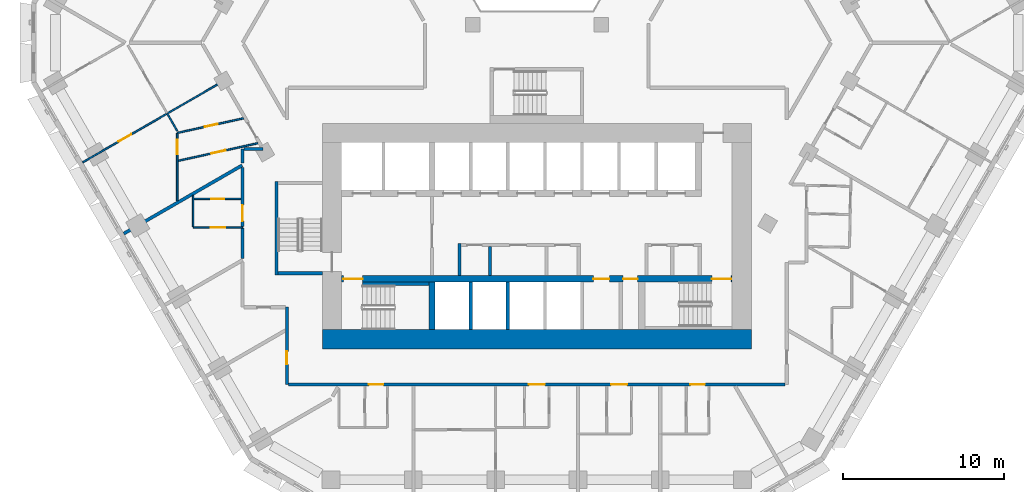
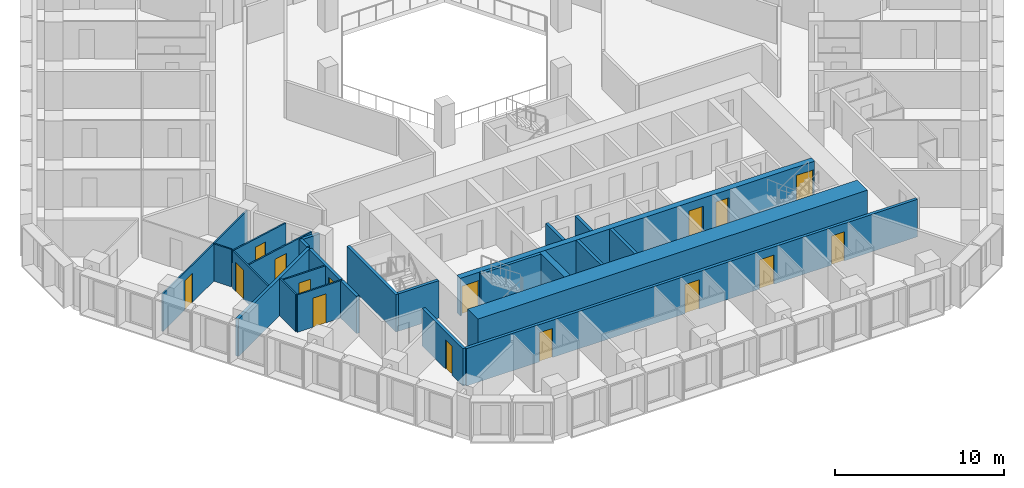
# One storey, part 4 of 21: 25 walls, 16 doors, 16 openings.
"""IFC4 building model written with IfcOpenShell, lengths in metres."""

import ifcopenshell
import ifcopenshell.guid

model = None  # the IFC model being written
_history = None  # IfcOwnerHistory: only IFC2X3 demands one
_inside = {}  # id of a spatial element -> (the spatial element, [elements in it])
_under = {}  # id of a project, library or spatial element -> (it, [spatial elements below it])
_declared = {}  # id of a project -> (the project, [libraries it declares])
_typed = {}  # id of a type object -> (the type object, [elements of that type])
_made_of = {}  # id of a material, layer set ... -> (it, [elements and type objects made of it])


def new_model(schema):
    """Start an empty IFC model of exactly this schema.

    Asked for "IFC4X3", IfcOpenShell would pick the latest addendum, in which some entities
    have other attributes; the version numbers below select the first issue.
    IFC2X3 requires an IfcOwnerHistory on every rooted entity: one is made here for all.
    """
    global model, _history
    if schema == "IFC4X3":
        model = ifcopenshell.file(schema_version=(4, 3, 0, 0))
    else:
        model = ifcopenshell.file(schema=schema)
    _inside.clear()
    _under.clear()
    _declared.clear()
    _typed.clear()
    _made_of.clear()
    _history = None
    if model.schema == "IFC2X3":
        org = make("IfcOrganization", Name="unknown")
        user = make(
            "IfcPersonAndOrganization",
            ThePerson=make("IfcPerson", FamilyName="unknown"),
            TheOrganization=org,
        )
        app = make(
            "IfcApplication",
            ApplicationDeveloper=org,
            Version="unknown",
            ApplicationFullName="unknown",
            ApplicationIdentifier="unknown",
        )
        _history = make(
            "IfcOwnerHistory",
            OwningUser=user,
            OwningApplication=app,
            ChangeAction="ADDED",
            CreationDate=0,
        )
    return model


def make(cls, **values):
    """One entity of the class cls with the attributes given. An attribute that is None is left unset."""
    return model.create_entity(
        cls, **{name: value for name, value in values.items() if value is not None}
    )


def rooted(cls, **values):
    """An entity with a GlobalId (a new one), such as an element, a storey or a relation."""
    return make(cls, GlobalId=ifcopenshell.guid.new(), OwnerHistory=_history, **values)


def si_unit(unit_type, name, prefix=None):
    """IfcSIUnit, for example si_unit("LENGTHUNIT", "METRE", prefix="MILLI")."""
    return make("IfcSIUnit", UnitType=unit_type, Prefix=prefix, Name=name)


def assignment(units):
    """IfcUnitAssignment: the units of a project."""
    return None if units is None else make("IfcUnitAssignment", Units=units)


def point(xyz):
    """IfcCartesianPoint."""
    return None if xyz is None else make("IfcCartesianPoint", Coordinates=xyz)


def direction(xyz):
    """IfcDirection."""
    return None if xyz is None else make("IfcDirection", DirectionRatios=xyz)


def frame(location, z_axis=None, x_axis=None):
    """IfcAxis2Placement3D, a coordinate frame: its origin and axes. An axis left out is left unset."""
    return make(
        "IfcAxis2Placement3D",
        Location=point(location),
        Axis=direction(z_axis),
        RefDirection=direction(x_axis),
    )


def frame_2d(location, x_axis=None):
    """IfcAxis2Placement2D, a coordinate frame in the plane: its origin and x axis."""
    return make(
        "IfcAxis2Placement2D", Location=point(location), RefDirection=direction(x_axis)
    )


def origin():
    """The frame at (0, 0, 0) with its axes left unset."""
    return frame((0.0, 0.0, 0.0))


def place(relative_to, where):
    """IfcLocalPlacement: puts the frame where relative to a parent placement (None: the world)."""
    return make(
        "IfcLocalPlacement", PlacementRelTo=relative_to, RelativePlacement=where
    )


def context(
    kind, dimensions, precision=None, world=None, true_north=None, identifier=None
):
    """IfcGeometricRepresentationContext, for example the 3D "Model" context."""
    return make(
        "IfcGeometricRepresentationContext",
        ContextIdentifier=identifier,
        ContextType=kind,
        CoordinateSpaceDimension=dimensions,
        Precision=precision,
        WorldCoordinateSystem=world,
        TrueNorth=true_north,
    )


def subcontext(parent, identifier, kind, view, scale=None):
    """IfcGeometricRepresentationSubContext, for example "Body" below "Model"."""
    return make(
        "IfcGeometricRepresentationSubContext",
        ContextIdentifier=identifier,
        ContextType=kind,
        ParentContext=parent,
        TargetScale=scale,
        TargetView=view,
    )


def project(units=None, contexts=None):
    """IfcProject with its units and contexts."""
    return rooted(
        "IfcProject",
        Name="project",
        RepresentationContexts=contexts,
        UnitsInContext=assignment(units),
    )


def spatial(cls, under=None, at=None, **own):
    """A site, building, storey or space (cls), placed at a placement, below another one or the project."""
    s = rooted(cls, ObjectPlacement=at, **own)
    if under is not None:
        _under.setdefault(under.id(), (under, []))[1].append(s)
    return s


def profile(cls, at=None, kind="AREA", **sizes):
    """A parametric profile (cls). Its sizes go by their IFC names, for example OverallWidth=200.0."""
    return make(cls, ProfileType=kind, Position=at, **sizes)


def rectangle(**sizes):
    """IfcRectangleProfileDef."""
    return profile("IfcRectangleProfileDef", **sizes)


def extrude(swept, where, along, depth):
    """IfcExtrudedAreaSolid: the profile swept, set in the frame where, extruded along a direction by depth."""
    return make(
        "IfcExtrudedAreaSolid",
        SweptArea=swept,
        Position=where,
        ExtrudedDirection=direction(along),
        Depth=depth,
    )


def shape(context_of_items, identifier, shape_type, items):
    """IfcShapeRepresentation: the items that make up one representation, for example the "Body"."""
    return make(
        "IfcShapeRepresentation",
        ContextOfItems=context_of_items,
        RepresentationIdentifier=identifier,
        RepresentationType=shape_type,
        Items=items,
    )


def material(Name=None, Category=None):
    """IfcMaterial."""
    return make("IfcMaterial", Name=Name, Category=Category)


def layer(
    of_material, thickness, ventilated=None, Name=None, Category=None, Priority=None
):
    """IfcMaterialLayer: one layer of a wall or slab, of a material (None: an air gap)."""
    return make(
        "IfcMaterialLayer",
        Material=of_material,
        LayerThickness=thickness,
        IsVentilated=ventilated,
        Name=Name,
        Category=Category,
        Priority=Priority,
    )


def layer_set(layers, Name=None):
    """IfcMaterialLayerSet."""
    return make("IfcMaterialLayerSet", MaterialLayers=layers, LayerSetName=Name)


def made_of(thing, what):
    """Note that an element or type object is made of a material, layer set ...; save() writes the relation."""
    if what is not None:
        _made_of.setdefault(what.id(), (what, []))[1].append(thing)
    return thing


def type_object(cls, material=None, **own):
    """A type object (cls), such as IfcWallType, which elements share."""
    return made_of(rooted(cls, **own), material)


def element(
    cls,
    number,
    at=None,
    inside=None,
    cuts=None,
    type_object=None,
    material=None,
    context=None,
    identifier="Body",
    shape_type=None,
    held_by="IfcProductDefinitionShape",
    body=None,
    shapes=None,
    **own,
):
    """One element of the class cls, such as IfcWall. Its Tag is "e" and its number.

    at: its placement. inside: the storey or other place that contains it. cuts: it is an
    opening in that element (IfcRelVoidsElement). A single representation is given by context,
    identifier, shape_type and body (its items); several are given by shapes. held_by: the class
    of the entity that holds the representations. save() writes the other relations.
    """
    e = rooted(cls, Tag="e%d" % number, ObjectPlacement=at, **own)
    if body is not None:
        shapes = [shape(context, identifier, shape_type, body)]
    if shapes is not None:
        e.Representation = make(held_by, Representations=shapes)
    if inside is not None:
        _inside.setdefault(inside.id(), (inside, []))[1].append(e)
    if cuts is not None:
        rooted(
            "IfcRelVoidsElement", RelatingBuildingElement=cuts, RelatedOpeningElement=e
        )
    if type_object is not None:
        _typed.setdefault(type_object.id(), (type_object, []))[1].append(e)
    return made_of(e, material)


def fill(opening, filler):
    """IfcRelFillsElement: the door or window that sits in an opening."""
    return rooted(
        "IfcRelFillsElement",
        RelatingOpeningElement=opening,
        RelatedBuildingElement=filler,
    )


def aggregate(whole, parts):
    """IfcRelAggregates: a whole, such as a stair, and the parts it consists of."""
    return rooted("IfcRelAggregates", RelatingObject=whole, RelatedObjects=parts)


def save(model, path):
    """Write the relations noted so far, then the file.

    IfcRelAggregates (storeys below a building ...), IfcRelContainedInSpatialStructure (elements
    in a storey), IfcRelDefinesByType, IfcRelAssociatesMaterial and IfcRelDeclares: one each for
    every whole, place, type object, material and project.
    """
    for whole, parts in _under.values():
        aggregate(whole, parts)
    for where, things in _inside.values():
        rooted(
            "IfcRelContainedInSpatialStructure",
            RelatedElements=things,
            RelatingStructure=where,
        )
    for kind, things in _typed.values():
        rooted("IfcRelDefinesByType", RelatedObjects=things, RelatingType=kind)
    for what, things in _made_of.values():
        rooted("IfcRelAssociatesMaterial", RelatedObjects=things, RelatingMaterial=what)
    for by, libraries in _declared.values():
        rooted("IfcRelDeclares", RelatingContext=by, RelatedDefinitions=libraries)
    model.write(path)


model = new_model("IFC4")

# Units and contexts
model_context = context("Model", 3, precision=1e-05, world=origin(), true_north=direction((0.0, 1.0)))
body_context = subcontext(model_context, "Body", "Model", "MODEL_VIEW")
ifc_project = project(units=[si_unit("LENGTHUNIT", "METRE"), si_unit("AREAUNIT", "SQUARE_METRE"), si_unit("VOLUMEUNIT", "CUBIC_METRE"), si_unit("PLANEANGLEUNIT", "RADIAN"), si_unit("MASSUNIT", "GRAM", prefix="KILO")], contexts=[model_context])

# Site, building, storey
site_placement = place(None, origin())
site = spatial("IfcSite", under=ifc_project, at=site_placement, CompositionType="ELEMENT")
building_placement = place(site_placement, origin())
building = spatial("IfcBuilding", under=site, at=building_placement, Name="Beryl Residences", CompositionType="ELEMENT")
storey_placement = place(building_placement, frame((0.0, 0.0, 35.39990234375)))
storey = spatial("IfcBuildingStorey", under=building, at=storey_placement, Name="L10", CompositionType="ELEMENT", Elevation=35.39990234375)

# Wall
ifc_material_1 = material(Name="Gypsum board partition on steel studs", Category="steel")
ifc_layer_1 = layer(ifc_material_1, 0.10009765625)
ifc_layer_set_1 = layer_set([ifc_layer_1], Name="PT1 partition 100 mm gypsum board on steel studs")
wall_type_1 = type_object("IfcWallType", Name="PT1 partition 100 mm gypsum board on steel studs", PredefinedType="PARTITIONING", material=ifc_layer_set_1)
wall_1_placement = place(storey_placement, frame((-21.31005859375, -9.47412109375, 0.0), z_axis=(0.0, 0.0, 1.0), x_axis=(0.0, -1.0, 0.0)))
element("IfcWall", 1, at=wall_1_placement, inside=storey, type_object=wall_type_1, Name="Wall PT1 L10 009", PredefinedType="PARTITIONING", context=body_context, shape_type="SweptSolid", body=[
    extrude(rectangle(XDim=1.931884765625, YDim=0.10009765625, at=frame_2d((0.9658203125, 0.0))), origin(), (0.0, 0.0, 1.0), 2.7001953125),
])

# Wall, opening, door
wall_2_placement = place(storey_placement, frame((-21.260009765625, -9.68896484375, 0.0), z_axis=(0.0, 0.0, 1.0), x_axis=(1.0, 0.0, 0.0)))
wall_2 = element("IfcWall", 2, at=wall_2_placement, inside=storey, type_object=wall_type_1, Name="Wall PT1 L10 024", PredefinedType="PARTITIONING", context=body_context, shape_type="SweptSolid", body=[
    extrude(rectangle(XDim=2.909912109375, YDim=0.10009765625, at=frame_2d((1.455078125, 0.0))), origin(), (0.0, 0.0, 1.0), 2.7001953125),
])
opening_1_placement = place(wall_2_placement, frame((1.080078125, 0.0, 0.0)))
opening_1 = element("IfcOpeningElement", 3, at=opening_1_placement, cuts=wall_2, Name="Opening D0178", PredefinedType="OPENING", context=body_context, shape_type="SweptSolid", body=[
    extrude(rectangle(XDim=0.800048828125, YDim=2.10009765625, at=frame_2d((0.39990234375, 1.050048828125))), frame((0.0, 0.06005859375, 0.0), z_axis=(0.0, -1.0, 0.0), x_axis=(1.0, 0.0, 0.0)), (0.0, 0.0, 1.0), 0.1201171875),
])
ifc_material_2 = material(Name="Timber door leaf", Category="wood")
door_type_1 = type_object("IfcDoorType", Name="D3 bathroom door 800 x 2100 mm", OperationType="SINGLE_SWING_LEFT", PredefinedType="DOOR", material=ifc_material_2)
door_1_placement = place(opening_1_placement, origin())
door_1 = element("IfcDoor", 4, at=door_1_placement, inside=storey, type_object=door_type_1, Name="Door D0178 L10 001", OperationType="SINGLE_SWING_RIGHT", OverallHeight=2.10009765625, OverallWidth=0.800048828125, PredefinedType="DOOR", context=body_context, shape_type="SweptSolid", body=[
    extrude(rectangle(XDim=0.800048828125, YDim=2.10009765625, at=frame_2d((0.39990234375, 1.050048828125))), frame((0.0, 0.02490234375, 0.0), z_axis=(0.0, -1.0, 0.0), x_axis=(1.0, 0.0, 0.0)), (0.0, 0.0, 1.0), 0.050048828125),
])
fill(opening_1, door_1)

wall_3_placement = place(storey_placement, frame((-21.30908203125, -11.45703125, 0.0), z_axis=(0.0, 0.0, 1.0), x_axis=(1.0, 0.0, 0.0)))
wall_3 = element("IfcWall", 5, at=wall_3_placement, inside=storey, type_object=wall_type_1, Name="Wall PT1 L10 025", PredefinedType="PARTITIONING", context=body_context, shape_type="SweptSolid", body=[
    extrude(rectangle(XDim=3.05908203125, YDim=0.10009765625, at=frame_2d((1.529541015625, 0.0))), origin(), (0.0, 0.0, 1.0), 2.7001953125),
])
opening_2_placement = place(wall_3_placement, frame((1.0791015625, 0.0, 0.0)))
opening_2 = element("IfcOpeningElement", 6, at=opening_2_placement, cuts=wall_3, Name="Opening D0177", PredefinedType="OPENING", context=body_context, shape_type="SweptSolid", body=[
    extrude(rectangle(XDim=0.89990234375, YDim=2.10009765625, at=frame_2d((0.449951171875, 1.050048828125))), frame((0.0, 0.06005859375, 0.0), z_axis=(0.0, -1.0, 0.0), x_axis=(1.0, 0.0, 0.0)), (0.0, 0.0, 1.0), 0.1201171875),
])
ifc_material_3 = material(Name="Timber door leaf", Category="wood")
door_type_2 = type_object("IfcDoorType", Name="D2 room door 900 x 2100 mm", OperationType="SINGLE_SWING_LEFT", PredefinedType="DOOR", material=ifc_material_3)
door_2_placement = place(opening_2_placement, origin())
door_2 = element("IfcDoor", 7, at=door_2_placement, inside=storey, type_object=door_type_2, Name="Door D0177 L10 001", OperationType="SINGLE_SWING_LEFT", OverallHeight=2.10009765625, OverallWidth=0.89990234375, PredefinedType="DOOR", context=body_context, shape_type="SweptSolid", body=[
    extrude(rectangle(XDim=0.89990234375, YDim=2.10009765625, at=frame_2d((0.449951171875, 1.050048828125))), frame((0.0, 0.02490234375, 0.0), z_axis=(0.0, -1.0, 0.0), x_axis=(1.0, 0.0, 0.0)), (0.0, 0.0, 1.0), 0.050048828125),
])
fill(opening_2, door_2)

wall_4_placement = place(storey_placement, frame((-22.297119140625, -9.81298828125, 0.0), z_axis=(0.0, 0.0, 1.0), x_axis=(0.0, 1.0, 0.0)))
wall_4 = element("IfcWall", 8, at=wall_4_placement, inside=storey, type_object=wall_type_1, Name="Wall PT1 L10 058", PredefinedType="PARTITIONING", context=body_context, shape_type="SweptSolid", body=[
    extrude(rectangle(XDim=4.18408203125, YDim=0.10009765625, at=frame_2d((2.092041015625, 0.0))), origin(), (0.0, 0.0, 1.0), 2.7001953125),
])
opening_3_placement = place(wall_4_placement, frame((2.89404296875, 0.0, 0.0)))
opening_3 = element("IfcOpeningElement", 9, at=opening_3_placement, cuts=wall_4, Name="Opening D0172", PredefinedType="OPENING", context=body_context, shape_type="SweptSolid", body=[
    extrude(rectangle(XDim=0.89990234375, YDim=2.10009765625, at=frame_2d((0.449951171875, 1.050048828125))), frame((0.0, 0.06005859375, 0.0), z_axis=(0.0, -1.0, 0.0), x_axis=(1.0, 0.0, 0.0)), (0.0, 0.0, 1.0), 0.1201171875),
])
door_3_placement = place(opening_3_placement, origin())
door_3 = element("IfcDoor", 10, at=door_3_placement, inside=storey, type_object=door_type_2, Name="Door D0172 L10 001", OperationType="SINGLE_SWING_RIGHT", OverallHeight=2.10009765625, OverallWidth=0.89990234375, PredefinedType="DOOR", context=body_context, shape_type="SweptSolid", body=[
    extrude(rectangle(XDim=0.89990234375, YDim=2.10009765625, at=frame_2d((0.449951171875, 1.050048828125))), frame((0.0, 0.02490234375, 0.0), z_axis=(0.0, -1.0, 0.0), x_axis=(1.0, 0.0, 0.0)), (0.0, 0.0, 1.0), 0.050048828125),
])
fill(opening_3, door_3)

wall_5_placement = place(storey_placement, frame((-22.297119140625, -5.597900390625, 0.0), z_axis=(0.0, 0.0, 1.0), x_axis=(0.976341239907, 0.216235481033, 0.0)))
wall_5 = element("IfcWall", 11, at=wall_5_placement, inside=storey, type_object=wall_type_1, Name="Wall PT1 L10 060", PredefinedType="PARTITIONING", context=body_context, shape_type="SweptSolid", body=[
    extrude(rectangle(XDim=4.203369140625, YDim=0.10009765625, at=frame_2d((2.1015625, 0.0))), origin(), (0.0, 0.0, 1.0), 2.7001953125),
])
opening_4_placement = place(wall_5_placement, frame((1.75390625, 0.0, 0.0)))
opening_4 = element("IfcOpeningElement", 12, at=opening_4_placement, cuts=wall_5, Name="Opening D0171", PredefinedType="OPENING", context=body_context, shape_type="SweptSolid", body=[
    extrude(rectangle(XDim=0.800048828125, YDim=2.10009765625, at=frame_2d((0.39990234375, 1.050048828125))), frame((0.0, 0.06005859375, 0.0), z_axis=(0.0, -1.0, 0.0), x_axis=(1.0, 0.0, 0.0)), (0.0, 0.0, 1.0), 0.1201171875),
])
door_4_placement = place(opening_4_placement, origin())
door_4 = element("IfcDoor", 13, at=door_4_placement, inside=storey, type_object=door_type_1, Name="Door D0171 L10 001", OperationType="SINGLE_SWING_LEFT", OverallHeight=2.10009765625, OverallWidth=0.800048828125, PredefinedType="DOOR", context=body_context, shape_type="SweptSolid", body=[
    extrude(rectangle(XDim=0.800048828125, YDim=2.10009765625, at=frame_2d((0.39990234375, 1.050048828125))), frame((0.0, 0.02490234375, 0.0), z_axis=(0.0, -1.0, 0.0), x_axis=(1.0, 0.0, 0.0)), (0.0, 0.0, 1.0), 0.050048828125),
])
fill(opening_4, door_4)

wall_6_placement = place(storey_placement, frame((-22.2470703125, -7.327880859375, 0.0), z_axis=(0.0, 0.0, 1.0), x_axis=(0.976310522972, 0.216374126765, 0.0)))
wall_6 = element("IfcWall", 14, at=wall_6_placement, inside=storey, type_object=wall_type_1, Name="Wall PT1 L10 061", PredefinedType="PARTITIONING", context=body_context, shape_type="SweptSolid", body=[
    extrude(rectangle(XDim=5.06494140625, YDim=0.10009765625, at=frame_2d((2.532470703125, 0.0))), origin(), (0.0, 0.0, 1.0), 2.7001953125),
])
opening_5_placement = place(wall_6_placement, frame((2.10888671875, 0.0, 0.0)))
opening_5 = element("IfcOpeningElement", 15, at=opening_5_placement, cuts=wall_6, Name="Opening D0170", PredefinedType="OPENING", context=body_context, shape_type="SweptSolid", body=[
    extrude(rectangle(XDim=0.89990234375, YDim=2.10009765625, at=frame_2d((0.449951171875, 1.050048828125))), frame((0.0, 0.06005859375, 0.0), z_axis=(0.0, -1.0, 0.0), x_axis=(1.0, 0.0, 0.0)), (0.0, 0.0, 1.0), 0.1201171875),
])
door_5_placement = place(opening_5_placement, origin())
door_5 = element("IfcDoor", 16, at=door_5_placement, inside=storey, type_object=door_type_2, Name="Door D0170 L10 001", OperationType="SINGLE_SWING_RIGHT", OverallHeight=2.10009765625, OverallWidth=0.89990234375, PredefinedType="DOOR", context=body_context, shape_type="SweptSolid", body=[
    extrude(rectangle(XDim=0.89990234375, YDim=2.10009765625, at=frame_2d((0.449951171875, 1.050048828125))), frame((0.0, 0.02490234375, 0.0), z_axis=(0.0, -1.0, 0.0), x_axis=(1.0, 0.0, 0.0)), (0.0, 0.0, 1.0), 0.050048828125),
])
fill(opening_5, door_5)

wall_7_placement = place(storey_placement, frame((-28.1630859375, -7.419921875, 0.0), z_axis=(0.0, 0.0, 1.0), x_axis=(0.866065245018, 0.499930986609, 0.0)))
wall_7 = element("IfcWall", 17, at=wall_7_placement, inside=storey, type_object=wall_type_1, Name="Wall PT1 L10 064", PredefinedType="PARTITIONING", context=body_context, shape_type="SweptSolid", body=[
    extrude(rectangle(XDim=9.99951171875, YDim=0.10009765625, at=frame_2d((4.999755859375, 0.0))), origin(), (0.0, 0.0, 1.0), 2.7001953125),
])
opening_6_placement = place(wall_7_placement, frame((2.575927734375, 0.0, 0.0)))
opening_6 = element("IfcOpeningElement", 18, at=opening_6_placement, cuts=wall_7, Name="Opening D0173", PredefinedType="OPENING", context=body_context, shape_type="SweptSolid", body=[
    extrude(rectangle(XDim=0.89990234375, YDim=2.10009765625, at=frame_2d((0.449951171875, 1.050048828125))), frame((0.0, 0.06005859375, 0.0), z_axis=(0.0, -1.0, 0.0), x_axis=(1.0, 0.0, 0.0)), (0.0, 0.0, 1.0), 0.1201171875),
])
door_6_placement = place(opening_6_placement, origin())
door_6 = element("IfcDoor", 19, at=door_6_placement, inside=storey, type_object=door_type_2, Name="Door D0173 L10 001", OperationType="SINGLE_SWING_LEFT", OverallHeight=2.10009765625, OverallWidth=0.89990234375, PredefinedType="DOOR", context=body_context, shape_type="SweptSolid", body=[
    extrude(rectangle(XDim=0.89990234375, YDim=2.10009765625, at=frame_2d((0.449951171875, 1.050048828125))), frame((0.0, 0.02490234375, 0.0), z_axis=(0.0, -1.0, 0.0), x_axis=(1.0, 0.0, 0.0)), (0.0, 0.0, 1.0), 0.050048828125),
])
fill(opening_6, door_6)

# Walls
wall_8_placement = place(storey_placement, frame((-22.9208984375, -4.39404296875, 0.0), z_axis=(0.0, 0.0, 1.0), x_axis=(0.49977889874, -0.86615301903, 0.0)))
element("IfcWall", 20, at=wall_8_placement, inside=storey, type_object=wall_type_1, Name="Wall PT1 L10 071", PredefinedType="PARTITIONING", context=body_context, shape_type="SweptSolid", body=[
    extrude(rectangle(XDim=1.248046875, YDim=0.10009765625, at=frame_2d((0.6240234375, 0.0))), origin(), (0.0, 0.0, 1.0), 2.7001953125),
])
ifc_material_4 = material(Name="Concrete masonry", Category="masonry")
ifc_layer_2 = layer(ifc_material_4, 0.199951171875)
ifc_layer_set_2 = layer_set([ifc_layer_2], Name="PT13 lobby wall 200 mm")
wall_type_2 = type_object("IfcWallType", Name="PT13 lobby wall 200 mm", PredefinedType="PARTITIONING", material=ifc_layer_set_2)
wall_9_placement = place(storey_placement, frame((-4.800048828125, -14.449951171875, 0.0), z_axis=(0.0, 0.0, 1.0), x_axis=(0.0, 1.0, 0.0)))
element("IfcWall", 21, at=wall_9_placement, inside=storey, type_object=wall_type_2, Name="Lobby wall 07", PredefinedType="PARTITIONING", context=body_context, shape_type="SweptSolid", body=[
    extrude(rectangle(XDim=2.0, YDim=0.199951171875, at=frame_2d((1.0, 0.0))), origin(), (0.0, 0.0, 1.0), 2.7001953125),
])
ifc_material_5 = material(Name="Acoustic double stud gypsum board wall")
ifc_layer_3 = layer(ifc_material_5, 0.199951171875)
ifc_layer_set_3 = layer_set([ifc_layer_3], Name="PT3 party wall 200 mm acoustic double stud")
wall_type_3 = type_object("IfcWallType", Name="PT3 party wall 200 mm acoustic double stud", PredefinedType="PARTITIONING", material=ifc_layer_set_3)
wall_10_placement = place(storey_placement, frame((-25.610107421875, -11.841064453125, 0.0), z_axis=(0.0, 0.0, 1.0), x_axis=(0.866019023803, 0.500011050288, 0.0)))
element("IfcWall", 22, at=wall_10_placement, inside=storey, type_object=wall_type_3, Name="Wall PT3 L10 027", PredefinedType="PARTITIONING", context=body_context, shape_type="SweptSolid", body=[
    extrude(rectangle(XDim=8.469970703125, YDim=0.199951171875, at=frame_2d((4.23486328125, 0.0))), origin(), (0.0, 0.0, 1.0), 2.7001953125),
])
ifc_material_6 = material(Name="Double stud gypsum board wall")
ifc_layer_4 = layer(ifc_material_6, 0.199951171875)
ifc_layer_set_4 = layer_set([ifc_layer_4], Name="PT4 corridor wall 200 mm double stud")
wall_type_4 = type_object("IfcWallType", Name="PT4 corridor wall 200 mm double stud", PredefinedType="PARTITIONING", material=ifc_layer_set_4)
wall_11_placement = place(storey_placement, frame((-18.25, -11.507080078125, 0.0), z_axis=(0.0, 0.0, 1.0), x_axis=(0.0, -1.0, 0.0)))
element("IfcWall", 23, at=wall_11_placement, inside=storey, type_object=wall_type_4, Name="Wall PT4 L10 007", PredefinedType="PARTITIONING", context=body_context, shape_type="SweptSolid", body=[
    extrude(rectangle(XDim=1.86181640625, YDim=0.199951171875, at=frame_2d((0.930908203125, 0.0))), origin(), (0.0, 0.0, 1.0), 2.7001953125),
])
wall_12_placement = place(storey_placement, frame((-18.14990234375, -6.60009765625, 0.0), z_axis=(0.0, 0.0, 1.0), x_axis=(1.0, 0.0, 0.0)))
element("IfcWall", 24, at=wall_12_placement, inside=storey, type_object=wall_type_4, Name="Wall PT4 L10 008", PredefinedType="PARTITIONING", context=body_context, shape_type="SweptSolid", body=[
    extrude(rectangle(XDim=1.17578125, YDim=0.199951171875, at=frame_2d((0.587890625, 0.0))), origin(), (0.0, 0.0, 1.0), 2.7001953125),
])

# Wall, openings, doors
wall_13_placement = place(storey_placement, frame((-15.39990234375, -21.199951171875, 0.0), z_axis=(0.0, 0.0, 1.0), x_axis=(1.0, 0.0, 0.0)))
wall_13 = element("IfcWall", 25, at=wall_13_placement, inside=storey, type_object=wall_type_4, Name="Wall PT4 L10 012", PredefinedType="PARTITIONING", context=body_context, shape_type="SweptSolid", body=[
    extrude(rectangle(XDim=30.798828125, YDim=0.199951171875, at=frame_2d((15.3994140625, 0.0))), origin(), (0.0, 0.0, 1.0), 2.7001953125),
])
opening_7_placement = place(wall_13_placement, frame((4.985107421875, 0.0, 0.0)))
opening_7 = element("IfcOpeningElement", 26, at=opening_7_placement, cuts=wall_13, Name="Opening D0101", PredefinedType="OPENING", context=body_context, shape_type="SweptSolid", body=[
    extrude(rectangle(XDim=0.89990234375, YDim=2.10009765625, at=frame_2d((0.449951171875, 1.050048828125))), frame((0.0, 0.10986328125, 0.0), z_axis=(0.0, -1.0, 0.0), x_axis=(1.0, 0.0, 0.0)), (0.0, 0.0, 1.0), 0.219970703125),
])
opening_8_placement = place(wall_13_placement, frame((14.90087890625, 0.0, 0.0)))
opening_8 = element("IfcOpeningElement", 27, at=opening_8_placement, cuts=wall_13, Name="Opening D0104", PredefinedType="OPENING", context=body_context, shape_type="SweptSolid", body=[
    extrude(rectangle(XDim=1.0, YDim=2.10009765625, at=frame_2d((0.5, 1.050048828125))), frame((0.0, 0.10986328125, 0.0), z_axis=(0.0, -1.0, 0.0), x_axis=(1.0, 0.0, 0.0)), (0.0, 0.0, 1.0), 0.219970703125),
])
opening_9_placement = place(wall_13_placement, frame((20.0048828125, 0.0, 0.0)))
opening_9 = element("IfcOpeningElement", 28, at=opening_9_placement, cuts=wall_13, Name="Opening D0109", PredefinedType="OPENING", context=body_context, shape_type="SweptSolid", body=[
    extrude(rectangle(XDim=1.0, YDim=2.10009765625, at=frame_2d((0.5, 1.050048828125))), frame((0.0, 0.10986328125, 0.0), z_axis=(0.0, -1.0, 0.0), x_axis=(1.0, 0.0, 0.0)), (0.0, 0.0, 1.0), 0.219970703125),
])
opening_10_placement = place(wall_13_placement, frame((24.916015625, 0.0, 0.0)))
opening_10 = element("IfcOpeningElement", 29, at=opening_10_placement, cuts=wall_13, Name="Opening D0112", PredefinedType="OPENING", context=body_context, shape_type="SweptSolid", body=[
    extrude(rectangle(XDim=0.89990234375, YDim=2.10009765625, at=frame_2d((0.449951171875, 1.050048828125))), frame((0.0, 0.10986328125, 0.0), z_axis=(0.0, -1.0, 0.0), x_axis=(1.0, 0.0, 0.0)), (0.0, 0.0, 1.0), 0.219970703125),
])
ifc_material_7 = material(Name="Timber door leaf", Category="wood")
door_type_3 = type_object("IfcDoorType", Name="D1 flat entrance door 1000 x 2100 mm", OperationType="SINGLE_SWING_LEFT", PredefinedType="DOOR", material=ifc_material_7)
door_7_placement = place(opening_8_placement, origin())
door_7 = element("IfcDoor", 30, at=door_7_placement, inside=storey, type_object=door_type_3, Name="Door D0104 L10 001", OperationType="SINGLE_SWING_RIGHT", OverallHeight=2.10009765625, OverallWidth=1.0, PredefinedType="DOOR", context=body_context, shape_type="SweptSolid", body=[
    extrude(rectangle(XDim=1.0, YDim=2.10009765625, at=frame_2d((0.5, 1.050048828125))), frame((0.0, 0.02490234375, 0.0), z_axis=(0.0, -1.0, 0.0), x_axis=(1.0, 0.0, 0.0)), (0.0, 0.0, 1.0), 0.050048828125),
])
fill(opening_8, door_7)
door_8_placement = place(opening_9_placement, origin())
door_8 = element("IfcDoor", 31, at=door_8_placement, inside=storey, type_object=door_type_3, Name="Door D0109 L10 001", OperationType="SINGLE_SWING_LEFT", OverallHeight=2.10009765625, OverallWidth=1.0, PredefinedType="DOOR", context=body_context, shape_type="SweptSolid", body=[
    extrude(rectangle(XDim=1.0, YDim=2.10009765625, at=frame_2d((0.5, 1.050048828125))), frame((0.0, 0.02490234375, 0.0), z_axis=(0.0, -1.0, 0.0), x_axis=(1.0, 0.0, 0.0)), (0.0, 0.0, 1.0), 0.050048828125),
])
fill(opening_9, door_8)
ifc_material_8 = material(Name="Timber door leaf", Category="wood")
door_type_4 = type_object("IfcDoorType", Name="D11 flat entrance door 900 x 2100 mm", OperationType="SINGLE_SWING_LEFT", PredefinedType="DOOR", material=ifc_material_8)
door_9_placement = place(opening_7_placement, origin())
door_9 = element("IfcDoor", 32, at=door_9_placement, inside=storey, type_object=door_type_4, Name="Door D0101 L10 001", OperationType="SINGLE_SWING_LEFT", OverallHeight=2.10009765625, OverallWidth=0.89990234375, PredefinedType="DOOR", context=body_context, shape_type="SweptSolid", body=[
    extrude(rectangle(XDim=0.89990234375, YDim=2.10009765625, at=frame_2d((0.449951171875, 1.050048828125))), frame((0.0, 0.02490234375, 0.0), z_axis=(0.0, -1.0, 0.0), x_axis=(1.0, 0.0, 0.0)), (0.0, 0.0, 1.0), 0.050048828125),
])
fill(opening_7, door_9)
door_10_placement = place(opening_10_placement, origin())
door_10 = element("IfcDoor", 33, at=door_10_placement, inside=storey, type_object=door_type_4, Name="Door D0112 L10 001", OperationType="SINGLE_SWING_RIGHT", OverallHeight=2.10009765625, OverallWidth=0.89990234375, PredefinedType="DOOR", context=body_context, shape_type="SweptSolid", body=[
    extrude(rectangle(XDim=0.89990234375, YDim=2.10009765625, at=frame_2d((0.449951171875, 1.050048828125))), frame((0.0, 0.02490234375, 0.0), z_axis=(0.0, -1.0, 0.0), x_axis=(1.0, 0.0, 0.0)), (0.0, 0.0, 1.0), 0.050048828125),
])
fill(opening_10, door_10)

# Wall, opening, door
wall_14_placement = place(storey_placement, frame((-15.5, -21.199951171875, 0.0), z_axis=(0.0, 0.0, 1.0), x_axis=(0.0, 1.0, 0.0)))
wall_14 = element("IfcWall", 34, at=wall_14_placement, inside=storey, type_object=wall_type_4, Name="Wall PT4 L10 030", PredefinedType="PARTITIONING", context=body_context, shape_type="SweptSolid", body=[
    extrude(rectangle(XDim=4.800048828125, YDim=0.199951171875, at=frame_2d((2.39990234375, 0.0))), origin(), (0.0, 0.0, 1.0), 2.7001953125),
])
opening_11_placement = place(wall_14_placement, frame((1.258056640625, 0.0, 0.0)))
opening_11 = element("IfcOpeningElement", 35, at=opening_11_placement, cuts=wall_14, Name="Opening D0180", PredefinedType="OPENING", context=body_context, shape_type="SweptSolid", body=[
    extrude(rectangle(XDim=0.800048828125, YDim=2.10009765625, at=frame_2d((0.39990234375, 1.050048828125))), frame((0.0, 0.10986328125, 0.0), z_axis=(0.0, -1.0, 0.0), x_axis=(1.0, 0.0, 0.0)), (0.0, 0.0, 1.0), 0.219970703125),
])
door_11_placement = place(opening_11_placement, origin())
door_11 = element("IfcDoor", 36, at=door_11_placement, inside=storey, type_object=door_type_1, Name="Door D0180 L10 001", OperationType="SINGLE_SWING_RIGHT", OverallHeight=2.10009765625, OverallWidth=0.800048828125, PredefinedType="DOOR", context=body_context, shape_type="SweptSolid", body=[
    extrude(rectangle(XDim=0.800048828125, YDim=2.10009765625, at=frame_2d((0.39990234375, 1.050048828125))), frame((0.0, 0.02490234375, 0.0), z_axis=(0.0, -1.0, 0.0), x_axis=(1.0, 0.0, 0.0)), (0.0, 0.0, 1.0), 0.050048828125),
])
fill(opening_11, door_11)

wall_15_placement = place(storey_placement, frame((-18.25, -11.406982421875, 0.0), z_axis=(0.0, 0.0, 1.0), x_axis=(0.0, 1.0, 0.0)))
wall_15 = element("IfcWall", 37, at=wall_15_placement, inside=storey, type_object=wall_type_4, Name="Wall PT4 L10 033", PredefinedType="PARTITIONING", context=body_context, shape_type="SweptSolid", body=[
    extrude(rectangle(XDim=3.6650390625, YDim=0.199951171875, at=frame_2d((1.83251953125, 0.0))), origin(), (0.0, 0.0, 1.0), 2.7001953125),
])
opening_12_placement = place(wall_15_placement, frame((0.333984375, 0.0, 0.0)))
opening_12 = element("IfcOpeningElement", 38, at=opening_12_placement, cuts=wall_15, Name="Opening D0176", PredefinedType="OPENING", context=body_context, shape_type="SweptSolid", body=[
    extrude(rectangle(XDim=1.0, YDim=2.10009765625, at=frame_2d((0.5, 1.050048828125))), frame((0.0, 0.10986328125, 0.0), z_axis=(0.0, -1.0, 0.0), x_axis=(1.0, 0.0, 0.0)), (0.0, 0.0, 1.0), 0.219970703125),
])
door_12_placement = place(opening_12_placement, origin())
door_12 = element("IfcDoor", 39, at=door_12_placement, inside=storey, type_object=door_type_3, Name="Door D0176 L10 001", OperationType="SINGLE_SWING_RIGHT", OverallHeight=2.10009765625, OverallWidth=1.0, PredefinedType="DOOR", context=body_context, shape_type="SweptSolid", body=[
    extrude(rectangle(XDim=1.0, YDim=2.10009765625, at=frame_2d((0.5, 1.050048828125))), frame((0.0, 0.02490234375, 0.0), z_axis=(0.0, -1.0, 0.0), x_axis=(1.0, 0.0, 0.0)), (0.0, 0.0, 1.0), 0.050048828125),
])
fill(opening_12, door_12)

# Walls
wall_16_placement = place(storey_placement, frame((-18.25, -7.47607421875, 0.0), z_axis=(0.0, 0.0, 1.0), x_axis=(0.0, 1.0, 0.0)))
element("IfcWall", 40, at=wall_16_placement, inside=storey, type_object=wall_type_4, Name="Wall PT4 L10 034", PredefinedType="PARTITIONING", context=body_context, shape_type="SweptSolid", body=[
    extrude(rectangle(XDim=0.8759765625, YDim=0.199951171875, at=frame_2d((0.43798828125, 0.0))), origin(), (0.0, 0.0, 1.0), 2.7001953125),
])
ifc_material_9 = material(Name="Concrete C40/50", Category="concrete")
ifc_layer_5 = layer(ifc_material_9, 0.199951171875)
ifc_layer_set_5 = layer_set([ifc_layer_5], Name="PT5 stair enclosure wall 200 mm reinforced concrete C40/50")
wall_type_5 = type_object("IfcWallType", Name="PT5 stair enclosure wall 200 mm reinforced concrete C40/50", PredefinedType="SOLIDWALL", material=ifc_layer_set_5)
wall_17_placement = place(storey_placement, frame((-16.14990234375, -14.39990234375, 0.0), z_axis=(0.0, 0.0, 1.0), x_axis=(0.0, 1.0, 0.0)))
element("IfcWall", 41, at=wall_17_placement, inside=storey, type_object=wall_type_5, Name="Stair wall 01", PredefinedType="SOLIDWALL", context=body_context, shape_type="SweptSolid", body=[
    extrude(rectangle(XDim=5.7998046875, YDim=0.199951171875, at=frame_2d((2.89990234375, 0.0))), origin(), (0.0, 0.0, 1.0), 2.7001953125),
])
wall_18_placement = place(storey_placement, frame((-16.050048828125, -14.300048828125, 0.0), z_axis=(0.0, 0.0, 1.0), x_axis=(1.0, 0.0, 0.0)))
element("IfcWall", 42, at=wall_18_placement, inside=storey, type_object=wall_type_5, Name="Stair wall 02", PredefinedType="SOLIDWALL", context=body_context, shape_type="SweptSolid", body=[
    extrude(rectangle(XDim=2.75, YDim=0.199951171875, at=frame_2d((1.375, 0.0))), origin(), (0.0, 0.0, 1.0), 2.7001953125),
])
wall_19_placement = place(storey_placement, frame((-10.800048828125, -14.949951171875, 0.0), z_axis=(0.0, 0.0, 1.0), x_axis=(1.0, 0.0, 0.0)))
element("IfcWall", 43, at=wall_19_placement, inside=storey, type_object=wall_type_5, Name="Stair wall 04", PredefinedType="SOLIDWALL", context=body_context, shape_type="SweptSolid", body=[
    extrude(rectangle(XDim=4.10009765625, YDim=0.199951171875, at=frame_2d((2.050048828125, 0.0))), origin(), (0.0, 0.0, 1.0), 2.7001953125),
])
ifc_material_10 = material(Name="Concrete C40/50", Category="concrete")
ifc_layer_6 = layer(ifc_material_10, 0.199951171875)
ifc_layer_set_6 = layer_set([ifc_layer_6], Name="PT6 lift shaft wall 200 mm reinforced concrete C40/50")
wall_type_6 = type_object("IfcWallType", Name="PT6 lift shaft wall 200 mm reinforced concrete C40/50", PredefinedType="SOLIDWALL", material=ifc_layer_set_6)
for number, where, z_axis, x_axis, name in (
    (44, (-4.10009765625, -17.800048828125, 0.0), (0.0, 0.0, 1.0), (0.0, 1.0, 0.0), "Lift shaft wall 09"),
    (45, (-1.800048828125, -17.800048828125, 0.0), (0.0, 0.0, 1.0), (0.0, 1.0, 0.0), "Lift shaft wall 12"),
):
    element("IfcWall", number, at=place(storey_placement, frame(where, z_axis=z_axis, x_axis=x_axis)), inside=storey, type_object=wall_type_6, Name=name, PredefinedType="SOLIDWALL", context=body_context, shape_type="SweptSolid", body=[
        extrude(rectangle(XDim=2.949951171875, YDim=0.199951171875, at=frame_2d((1.47509765625, 0.0))), origin(), (0.0, 0.0, 1.0), 2.7001953125),
    ])
ifc_material_11 = material(Name="Concrete masonry", Category="masonry")
ifc_layer_7 = layer(ifc_material_11, 0.199951171875)
ifc_layer_set_7 = layer_set([ifc_layer_7], Name="PT8-200 service room wall 200 mm")
wall_type_7 = type_object("IfcWallType", Name="PT8-200 service room wall 200 mm", PredefinedType="PARTITIONING", material=ifc_layer_set_7)
wall_20_placement = place(storey_placement, frame((-2.89990234375, -14.449951171875, 0.0), z_axis=(0.0, 0.0, 1.0), x_axis=(0.0, 1.0, 0.0)))
element("IfcWall", 46, at=wall_20_placement, inside=storey, type_object=wall_type_7, Name="Core room wall 11", PredefinedType="PARTITIONING", context=body_context, shape_type="SweptSolid", body=[
    extrude(rectangle(XDim=1.800048828125, YDim=0.199951171875, at=frame_2d((0.89990234375, 0.0))), origin(), (0.0, 0.0, 1.0), 2.7001953125),
])
ifc_material_12 = material(Name="Concrete C80/95", Category="concrete")
ifc_layer_8 = layer(ifc_material_12, 1.199951171875)
ifc_layer_set_8 = layer_set([ifc_layer_8], Name="SW1 core outer wall 1200 mm C80/95")
wall_type_8 = type_object("IfcWallType", Name="SW1 core outer wall 1200 mm C80/95", PredefinedType="SHEAR", material=ifc_layer_set_8)
wall_21_placement = place(storey_placement, frame((-13.300048828125, -18.39990234375, 0.0), z_axis=(0.0, 0.0, 1.0), x_axis=(1.0, 0.0, 0.0)))
element("IfcWall", 47, at=wall_21_placement, inside=storey, type_object=wall_type_8, Name="Core wall S L10", PredefinedType="SHEAR", context=body_context, shape_type="SweptSolid", body=[
    extrude(rectangle(XDim=26.60009765625, YDim=1.199951171875, at=frame_2d((13.300048828125, 0.0))), origin(), (0.0, 0.0, 1.0), 2.7001953125),
])

# Wall, openings, doors
ifc_material_13 = material(Name="Concrete C80/95", Category="concrete")
ifc_layer_9 = layer(ifc_material_13, 0.39990234375)
ifc_layer_set_9 = layer_set([ifc_layer_9], Name="SW6 core internal wall 400 mm C80/95")
wall_type_9 = type_object("IfcWallType", Name="SW6 core internal wall 400 mm C80/95", PredefinedType="SHEAR", material=ifc_layer_set_9)
wall_22_placement = place(storey_placement, frame((-12.10009765625, -14.64990234375, 0.0), z_axis=(0.0, 0.0, 1.0), x_axis=(1.0, 0.0, 0.0)))
wall_22 = element("IfcWall", 48, at=wall_22_placement, inside=storey, type_object=wall_type_9, Name="Core wall SP1 L10", PredefinedType="SHEAR", context=body_context, shape_type="SweptSolid", body=[
    extrude(rectangle(XDim=24.2001953125, YDim=0.39990234375, at=frame_2d((12.10009765625, 0.0))), origin(), (0.0, 0.0, 1.0), 2.7001953125),
])
opening_13_placement = place(wall_22_placement, frame((1.300048828125, 0.0, 0.0), z_axis=(0.0, 0.0, 1.0), x_axis=(-1.0, 0.0, 0.0)))
opening_13 = element("IfcOpeningElement", 49, at=opening_13_placement, cuts=wall_22, Name="Opening SD-1", PredefinedType="OPENING", context=body_context, shape_type="SweptSolid", body=[
    extrude(rectangle(XDim=1.199951171875, YDim=2.10009765625, at=frame_2d((0.60009765625, 1.050048828125))), frame((0.0, 0.2099609375, 0.0), z_axis=(0.0, -1.0, 0.0), x_axis=(1.0, 0.0, 0.0)), (0.0, 0.0, 1.0), 0.419921875),
])
opening_14_placement = place(wall_22_placement, frame((24.14990234375, 0.0, 0.0), z_axis=(0.0, 0.0, 1.0), x_axis=(-1.0, 0.0, 0.0)))
opening_14 = element("IfcOpeningElement", 50, at=opening_14_placement, cuts=wall_22, Name="Opening SD-3", PredefinedType="OPENING", context=body_context, shape_type="SweptSolid", body=[
    extrude(rectangle(XDim=1.199951171875, YDim=2.10009765625, at=frame_2d((0.60009765625, 1.050048828125))), frame((0.0, 0.2099609375, 0.0), z_axis=(0.0, -1.0, 0.0), x_axis=(1.0, 0.0, 0.0)), (0.0, 0.0, 1.0), 0.419921875),
])
opening_15_placement = place(wall_22_placement, frame((16.60009765625, 0.0, 0.0), z_axis=(0.0, 0.0, 1.0), x_axis=(-1.0, 0.0, 0.0)))
opening_15 = element("IfcOpeningElement", 51, at=opening_15_placement, cuts=wall_22, Name="Opening CD-D-S1", PredefinedType="OPENING", context=body_context, shape_type="SweptSolid", body=[
    extrude(rectangle(XDim=1.0, YDim=2.10009765625, at=frame_2d((0.5, 1.050048828125))), frame((0.0, 0.2099609375, 0.0), z_axis=(0.0, -1.0, 0.0), x_axis=(1.0, 0.0, 0.0)), (0.0, 0.0, 1.0), 0.419921875),
])
opening_16_placement = place(wall_22_placement, frame((18.349853515625, 0.0, 0.0), z_axis=(0.0, 0.0, 1.0), x_axis=(-1.0, 0.0, 0.0)))
opening_16 = element("IfcOpeningElement", 52, at=opening_16_placement, cuts=wall_22, Name="Opening RD-D-S2", PredefinedType="OPENING", context=body_context, shape_type="SweptSolid", body=[
    extrude(rectangle(XDim=0.89990234375, YDim=2.10009765625, at=frame_2d((0.449951171875, 1.050048828125))), frame((0.0, 0.2099609375, 0.0), z_axis=(0.0, -1.0, 0.0), x_axis=(1.0, 0.0, 0.0)), (0.0, 0.0, 1.0), 0.419921875),
])
ifc_material_14 = material(Name="Steel door leaf in steel frame", Category="steel")
door_type_5 = type_object("IfcDoorType", Name="D18 service room door 1000 x 2100 mm", OperationType="SINGLE_SWING_LEFT", PredefinedType="DOOR", material=ifc_material_14)
door_13_placement = place(opening_15_placement, origin())
door_13 = element("IfcDoor", 53, at=door_13_placement, inside=storey, type_object=door_type_5, Name="Door CD-D-S1 L10 001", OperationType="SINGLE_SWING_RIGHT", OverallHeight=2.10009765625, OverallWidth=1.0, PredefinedType="DOOR", context=body_context, shape_type="SweptSolid", body=[
    extrude(rectangle(XDim=1.0, YDim=2.10009765625, at=frame_2d((0.5, 1.050048828125))), frame((0.0, 0.02490234375, 0.0), z_axis=(0.0, -1.0, 0.0), x_axis=(1.0, 0.0, 0.0)), (0.0, 0.0, 1.0), 0.050048828125),
])
fill(opening_15, door_13)
ifc_material_15 = material(Name="Steel door leaf in steel frame", Category="steel")
door_type_6 = type_object("IfcDoorType", Name="D23 riser door 900 x 2100 mm", OperationType="SINGLE_SWING_LEFT", PredefinedType="DOOR", material=ifc_material_15)
door_14_placement = place(opening_16_placement, origin())
door_14 = element("IfcDoor", 54, at=door_14_placement, inside=storey, type_object=door_type_6, Name="Door RD-D-S2 L10 001", OperationType="SINGLE_SWING_LEFT", OverallHeight=2.10009765625, OverallWidth=0.89990234375, PredefinedType="DOOR", context=body_context, shape_type="SweptSolid", body=[
    extrude(rectangle(XDim=0.89990234375, YDim=2.10009765625, at=frame_2d((0.449951171875, 1.050048828125))), frame((0.0, 0.02490234375, 0.0), z_axis=(0.0, -1.0, 0.0), x_axis=(1.0, 0.0, 0.0)), (0.0, 0.0, 1.0), 0.050048828125),
])
fill(opening_16, door_14)
ifc_material_16 = material(Name="Steel door leaf in steel frame", Category="steel")
door_type_7 = type_object("IfcDoorType", Name="D4 stair door 1200 x 2100 mm", OperationType="SINGLE_SWING_LEFT", PredefinedType="DOOR", material=ifc_material_16)
door_15_placement = place(opening_13_placement, origin())
door_15 = element("IfcDoor", 55, at=door_15_placement, inside=storey, type_object=door_type_7, Name="Door SD-1 L10 001", OperationType="SINGLE_SWING_RIGHT", OverallHeight=2.10009765625, OverallWidth=1.199951171875, PredefinedType="DOOR", context=body_context, shape_type="SweptSolid", body=[
    extrude(rectangle(XDim=1.199951171875, YDim=2.10009765625, at=frame_2d((0.60009765625, 1.050048828125))), frame((0.0, 0.02490234375, 0.0), z_axis=(0.0, -1.0, 0.0), x_axis=(1.0, 0.0, 0.0)), (0.0, 0.0, 1.0), 0.050048828125),
])
fill(opening_13, door_15)
door_16_placement = place(opening_14_placement, origin())
door_16 = element("IfcDoor", 56, at=door_16_placement, inside=storey, type_object=door_type_7, Name="Door SD-3 L10 001", OperationType="SINGLE_SWING_RIGHT", OverallHeight=2.10009765625, OverallWidth=1.199951171875, PredefinedType="DOOR", context=body_context, shape_type="SweptSolid", body=[
    extrude(rectangle(XDim=1.199951171875, YDim=2.10009765625, at=frame_2d((0.60009765625, 1.050048828125))), frame((0.0, 0.02490234375, 0.0), z_axis=(0.0, -1.0, 0.0), x_axis=(1.0, 0.0, 0.0)), (0.0, 0.0, 1.0), 0.050048828125),
])
fill(opening_14, door_16)

# Wall
wall_23_placement = place(storey_placement, frame((-6.5, -17.800048828125, 0.0), z_axis=(0.0, 0.0, 1.0), x_axis=(0.0, 1.0, 0.0)))
element("IfcWall", 57, at=wall_23_placement, inside=storey, type_object=wall_type_9, Name="Core wall XS1 L10", PredefinedType="SHEAR", context=body_context, shape_type="SweptSolid", body=[
    extrude(rectangle(XDim=2.949951171875, YDim=0.39990234375, at=frame_2d((1.47509765625, 0.0))), origin(), (0.0, 0.0, 1.0), 2.7001953125),
])

save(model, "model.ifc")
